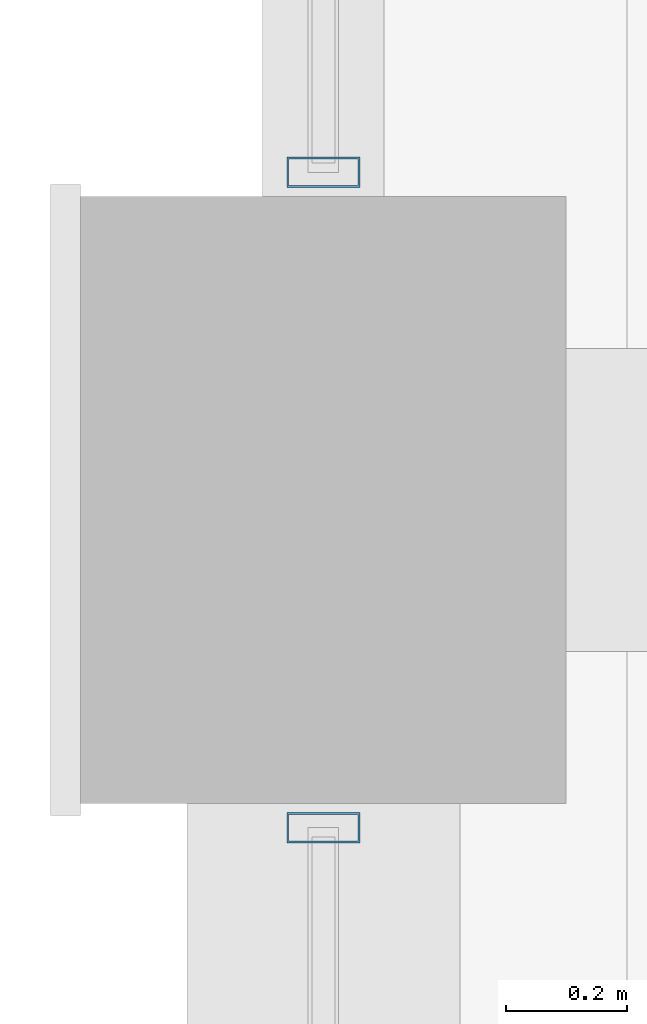
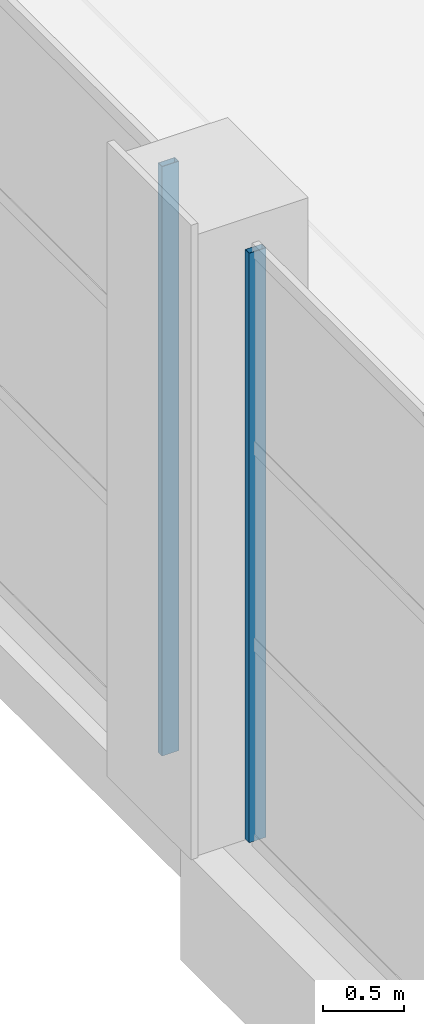
# One storey, part 58 of 112: 2 members, 2 elements without a shape of their own.
"""IFC4 building model written with IfcOpenShell, lengths in metres."""

from ifc_helpers import new_model, si_unit, direction, frame, origin, origin_2d, place, context, subcontext, project, spatial, hollow_rectangle, extrude, material, material_profile, profile_set, type_object, element, aggregate, save


model = new_model("IFC4")

# Units and contexts
model_context = context("Model", 3, precision=1e-05, world=origin(), true_north=direction((0.0, 1.0)))
body_context = subcontext(model_context, "Body", "Model", "MODEL_VIEW")
ifc_project = project(units=[si_unit("LENGTHUNIT", "METRE"), si_unit("AREAUNIT", "SQUARE_METRE"), si_unit("VOLUMEUNIT", "CUBIC_METRE"), si_unit("PLANEANGLEUNIT", "RADIAN"), si_unit("MASSUNIT", "GRAM", prefix="KILO")], contexts=[model_context])

# Site, building, storey
site_placement = place(None, origin())
site = spatial("IfcSite", under=ifc_project, at=site_placement, CompositionType="ELEMENT")
building_placement = place(site_placement, origin())
building = spatial("IfcBuilding", under=site, at=building_placement, Name="Solvikara Media Centre", CompositionType="ELEMENT")
storey_placement = place(building_placement, frame((0.0, 0.0, 5.39990234375)))
storey = spatial("IfcBuildingStorey", under=building, at=storey_placement, Name="L01", CompositionType="ELEMENT", Elevation=5.39990234375)

# Curtain wall, member
ifc_material = material(Name="Anodised aluminium EN AW-6063", Category="aluminium")
curtain_wall_type = type_object("IfcCurtainWallType", Name="CW-12", PredefinedType="NOTDEFINED", material=ifc_material)
curtain_wall_1_placement = place(storey_placement, origin())
curtain_wall_1 = element("IfcCurtainWall", 1, at=curtain_wall_1_placement, inside=storey, type_object=curtain_wall_type, Name="CW-L01-V2W-S5", PredefinedType="NOTDEFINED")
ifc_material_profile = material_profile(ifc_material, hollow_rectangle(XDim=0.050048828125, YDim=0.1201171875, WallThickness=0.0029296875, at=origin_2d()), Name="ALU-M 50x120x3")
ifc_profile_set = profile_set([ifc_material_profile], Name="Anodised aluminium EN AW-6063")
member_type = type_object("IfcMemberType", Name="MF-06", PredefinedType="MULLION", material=ifc_profile_set)
member_1_placement = place(storey_placement, frame((127.5, 100.9599609375, 0.02001953125), z_axis=(0.0, 0.0, 1.0), x_axis=(0.0, 1.0, 0.0)))
member_1 = element("IfcMember", 2, at=member_1_placement, type_object=member_type, Name="CW-L01-V2W-S5-M02", PredefinedType="MULLION", context=body_context, shape_type="SweptSolid", body=[
    extrude(hollow_rectangle(XDim=0.050048828125, YDim=0.1201171875, WallThickness=0.0029296875, at=origin_2d()), origin(), (0.0, 0.0, 1.0), 4.4599609375),
])
aggregate(curtain_wall_1, [member_1])

curtain_wall_2_placement = place(storey_placement, origin())
curtain_wall_2 = element("IfcCurtainWall", 3, at=curtain_wall_2_placement, inside=storey, type_object=curtain_wall_type, Name="CW-L01-V2W-S6", PredefinedType="NOTDEFINED")
member_2_placement = place(storey_placement, frame((127.5, 102.0400390625, 0.02001953125), z_axis=(0.0, 0.0, 1.0), x_axis=(0.0, 1.0, 0.0)))
member_2 = element("IfcMember", 4, at=member_2_placement, type_object=member_type, Name="CW-L01-V2W-S6-M00", PredefinedType="MULLION", context=body_context, shape_type="SweptSolid", body=[
    extrude(hollow_rectangle(XDim=0.050048828125, YDim=0.1201171875, WallThickness=0.0029296875, at=origin_2d()), origin(), (0.0, 0.0, 1.0), 4.4599609375),
])
aggregate(curtain_wall_2, [member_2])

save(model, "model.ifc")
